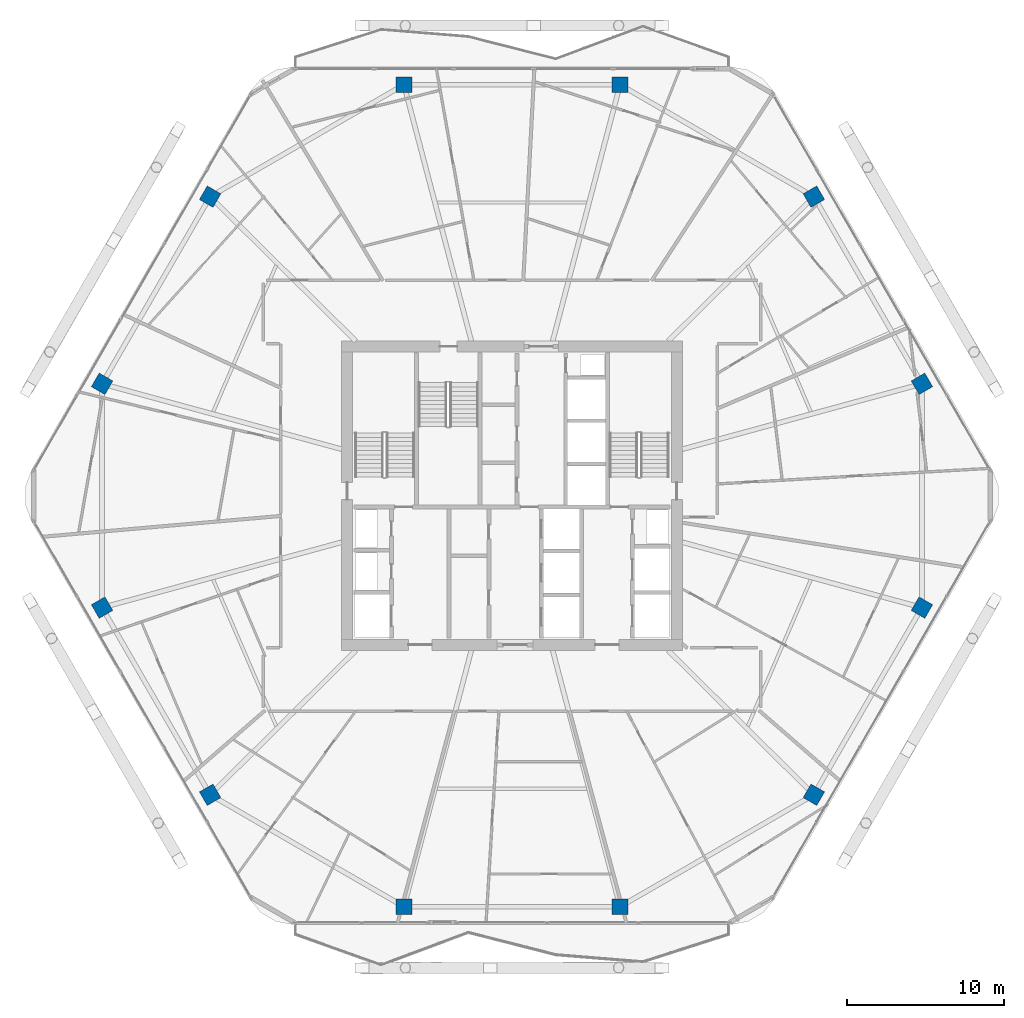
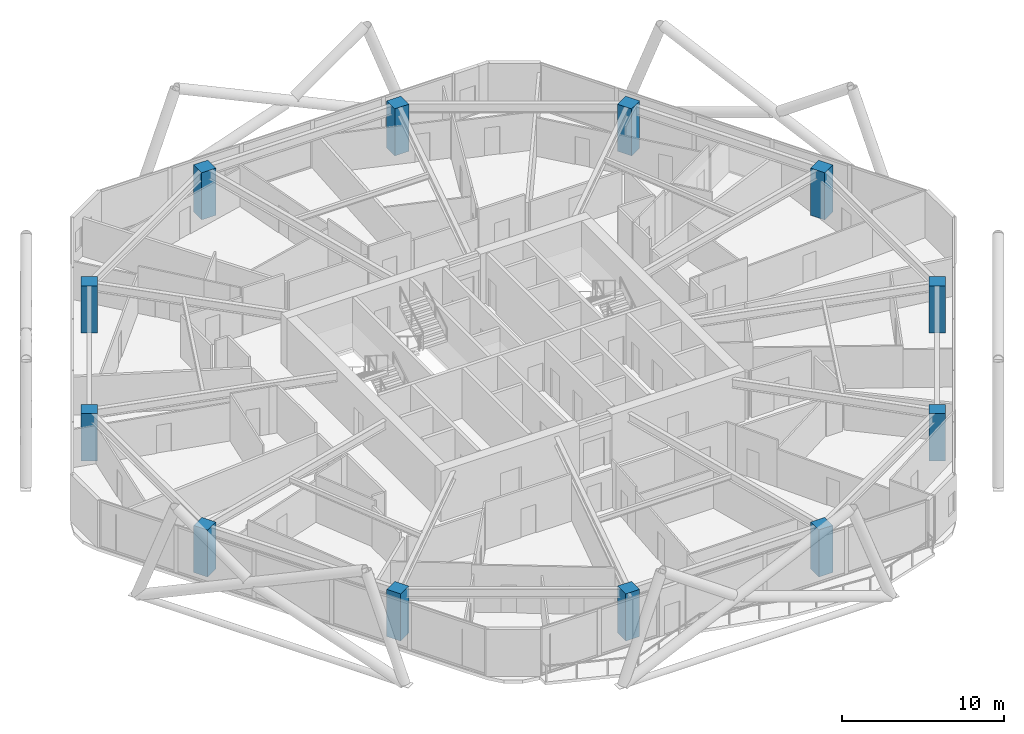
# One storey, part 1 of 29: 12 columns.
"""IFC4 building model written with IfcOpenShell, lengths in metres."""

from ifc_helpers import new_model, si_unit, direction, frame, origin, origin_2d, place, context, subcontext, project, spatial, rectangle, extrude, material, material_profile, profile_set, type_object, element, save


model = new_model("IFC4")

# Units and contexts
model_context = context("Model", 3, precision=1e-05, world=origin(), true_north=direction((0.0, 1.0)))
body_context = subcontext(model_context, "Body", "Model", "MODEL_VIEW")
ifc_project = project(units=[si_unit("LENGTHUNIT", "METRE"), si_unit("AREAUNIT", "SQUARE_METRE"), si_unit("VOLUMEUNIT", "CUBIC_METRE"), si_unit("PLANEANGLEUNIT", "RADIAN"), si_unit("MASSUNIT", "GRAM", prefix="KILO")], contexts=[model_context])

# Site, building, storey
site_placement = place(None, origin())
site = spatial("IfcSite", under=ifc_project, at=site_placement, CompositionType="ELEMENT")
building_placement = place(site_placement, origin())
building = spatial("IfcBuilding", under=site, at=building_placement, Name="Zuhravey Tower", CompositionType="ELEMENT")
storey_placement = place(building_placement, frame((0.0, 0.0, 161.800048828125)))
storey = spatial("IfcBuildingStorey", under=building, at=storey_placement, Name="L40", CompositionType="ELEMENT", Elevation=161.800048828125)

# Columns
ifc_material = material(Name="Concrete C60/75", Category="concrete")
ifc_material_profile = material_profile(ifc_material, rectangle(XDim=1.0, YDim=1.0, at=origin_2d()), Name="RC-1000x1000")
ifc_profile_set = profile_set([ifc_material_profile], Name="Concrete C60/75")
column_type = type_object("IfcColumnType", Name="Zone 2 Perimeter Column 1000x1000", PredefinedType="COLUMN", material=ifc_profile_set)
for number, where, z_axis, x_axis, name in (
    (1, (62.107666015625, 39.12646484375, 0.0), (0.0, 0.0, 1.0), (-0.5, 0.866025403784, 0.0), "L40 Perimeter Column PC01"),
    (2, (55.2255859375, 51.046630859375, 0.0), (0.0, 0.0, 1.0), (-0.5, 0.866025403784, 0.0), "L40 Perimeter Column PC02"),
    (3, (42.882080078125, 58.173095703125, 0.0), (0.0, 0.0, 1.0), (-1.0, 0.0, 0.0), "L40 Perimeter Column PC03"),
    (4, (29.117919921875, 58.173095703125, 0.0), (0.0, 0.0, 1.0), (-1.0, 0.0, 0.0), "L40 Perimeter Column PC04"),
    (5, (16.7744140625, 51.046630859375, 0.0), (0.0, 0.0, 1.0), (-0.5, -0.866025403784, 0.0), "L40 Perimeter Column PC05"),
    (6, (9.892333984375, 39.12646484375, 0.0), (0.0, 0.0, 1.0), (-0.5, -0.866025403784, 0.0), "L40 Perimeter Column PC06"),
    (7, (9.892333984375, 24.87353515625, 0.0), (0.0, 0.0, 1.0), (0.5, -0.866025403784, 0.0), "L40 Perimeter Column PC07"),
    (8, (16.7744140625, 12.953369140625, 0.0), (0.0, 0.0, 1.0), (0.5, -0.866025403784, 0.0), "L40 Perimeter Column PC08"),
    (9, (29.117919921875, 5.826904296875, 0.0), (0.0, 0.0, 1.0), (1.0, 0.0, 0.0), "L40 Perimeter Column PC09"),
    (10, (42.882080078125, 5.826904296875, 0.0), (0.0, 0.0, 1.0), (1.0, 0.0, 0.0), "L40 Perimeter Column PC10"),
    (11, (55.2255859375, 12.953369140625, 0.0), (0.0, 0.0, 1.0), (0.5, 0.866025403784, 0.0), "L40 Perimeter Column PC11"),
    (12, (62.107666015625, 24.87353515625, 0.0), (0.0, 0.0, 1.0), (0.5, 0.866025403784, 0.0), "L40 Perimeter Column PC12"),
):
    element("IfcColumn", number, at=place(storey_placement, frame(where, z_axis=z_axis, x_axis=x_axis)), inside=storey, type_object=column_type, Name=name, PredefinedType="COLUMN", context=body_context, shape_type="SweptSolid", body=[
        extrude(rectangle(XDim=1.0, YDim=1.0, at=origin_2d()), origin(), (0.0, 0.0, 1.0), 3.550048828125),
    ])

save(model, "model.ifc")
